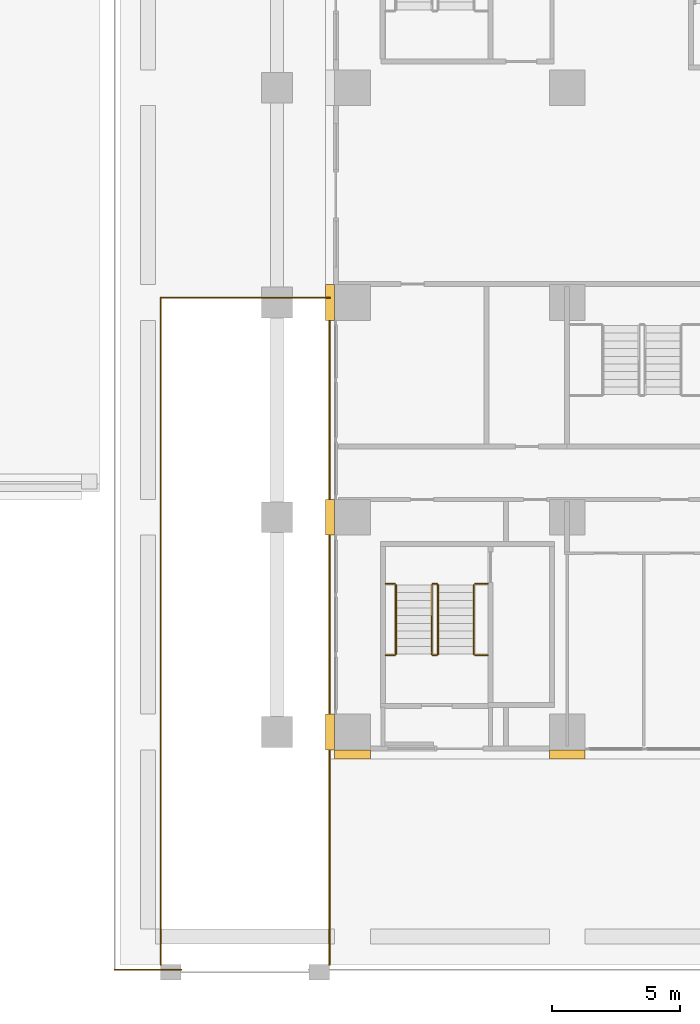
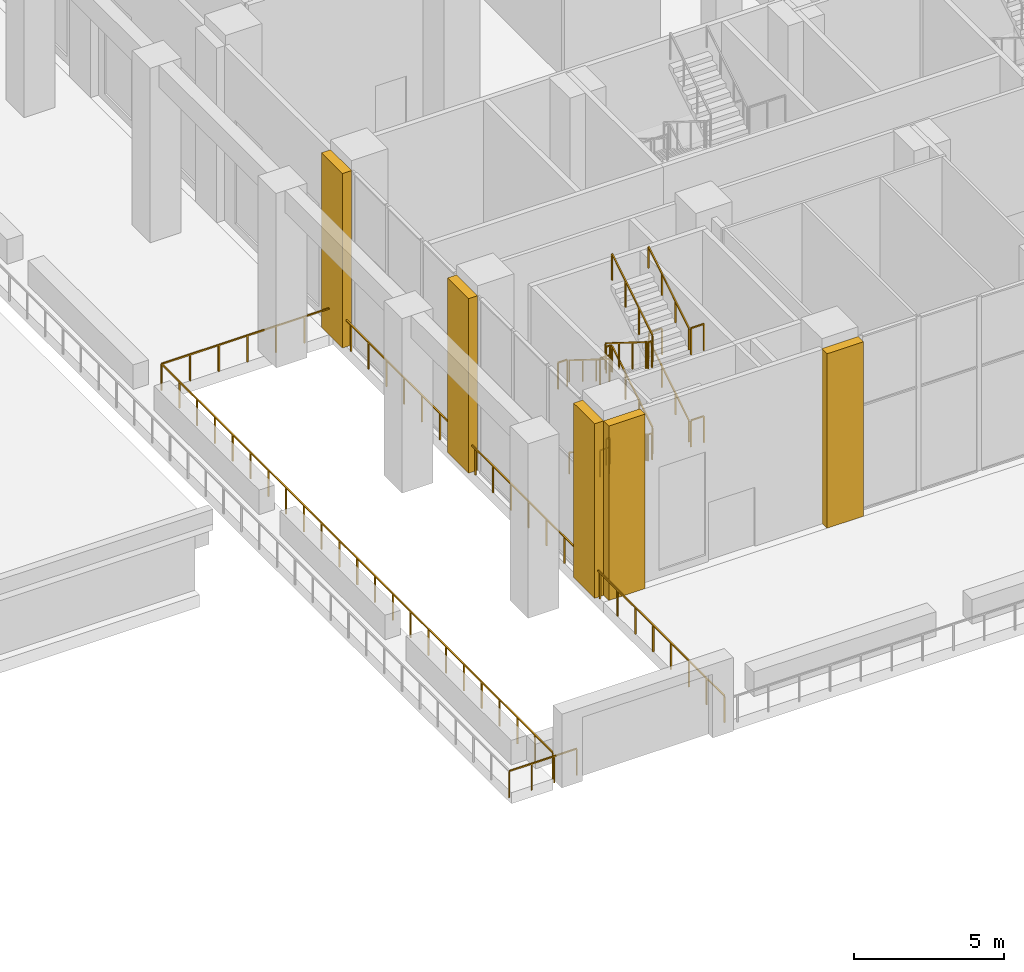
# One storey, part 36 of 53: 19 railings, 5 coverings.
"""IFC4 building model written with IfcOpenShell, lengths in metres."""

from ifc_helpers import new_model, si_unit, direction, frame, origin, origin_2d, place, context, subcontext, project, spatial, polyline, rectangle, outline, extrude, material, type_object, element, save


model = new_model("IFC4")

# Units and contexts
model_context = context("Model", 3, precision=1e-05, world=origin(), true_north=direction((0.0, 1.0)))
body_context = subcontext(model_context, "Body", "Model", "MODEL_VIEW")
ifc_project = project(units=[si_unit("LENGTHUNIT", "METRE"), si_unit("AREAUNIT", "SQUARE_METRE"), si_unit("VOLUMEUNIT", "CUBIC_METRE"), si_unit("PLANEANGLEUNIT", "RADIAN"), si_unit("MASSUNIT", "GRAM", prefix="KILO")], contexts=[model_context])

# Site, building, storey
site_placement = place(None, origin())
site = spatial("IfcSite", under=ifc_project, at=site_placement, CompositionType="ELEMENT")
building_placement = place(site_placement, origin())
building = spatial("IfcBuilding", under=site, at=building_placement, Name="Vermilion Ogive Tower", CompositionType="ELEMENT")
storey_placement = place(building_placement, origin())
storey = spatial("IfcBuildingStorey", under=building, at=storey_placement, Name="L00", CompositionType="ELEMENT", Elevation=0.0)

# Railings
ifc_material_1 = material(Name="Stainless steel", Category="steel")
railing_type_1 = type_object("IfcRailingType", Name="Slab edge guard SG1", PredefinedType="GUARDRAIL", material=ifc_material_1)
railing_1_placement = place(storey_placement, frame((-41.10009765625, -12.41064453125, 0.0)))
element("IfcRailing", 1, at=railing_1_placement, inside=storey, type_object=railing_type_1, Name="Ramp opening guard L00 N", PredefinedType="GUARDRAIL", context=body_context, shape_type="SweptSolid", body=[
    extrude(rectangle(XDim=0.050048828125, YDim=0.050048828125, at=origin_2d()), frame((0.0, 0.0, 1.0751953125), z_axis=(1.0, 0.0, 0.0), x_axis=(0.0, 1.0, 0.0)), (0.0, 0.0, 1.0), 6.60009765625),
    extrude(rectangle(XDim=0.050048828125, YDim=0.050048828125, at=origin_2d()), origin(), (0.0, 0.0, 1.0), 1.050048828125),
    extrude(rectangle(XDim=0.050048828125, YDim=0.050048828125, at=origin_2d()), frame((1.10009765625, 0.0, 0.0)), (0.0, 0.0, 1.0), 1.050048828125),
    extrude(rectangle(XDim=0.050048828125, YDim=0.050048828125, at=origin_2d()), frame((2.199951171875, 0.0, 0.0)), (0.0, 0.0, 1.0), 1.050048828125),
    extrude(rectangle(XDim=0.050048828125, YDim=0.050048828125, at=origin_2d()), frame((3.300048828125, 0.0, 0.0)), (0.0, 0.0, 1.0), 1.050048828125),
    extrude(rectangle(XDim=0.050048828125, YDim=0.050048828125, at=origin_2d()), frame((4.400146484375, 0.0, 0.0)), (0.0, 0.0, 1.0), 1.050048828125),
    extrude(rectangle(XDim=0.050048828125, YDim=0.050048828125, at=origin_2d()), frame((5.5, 0.0, 0.0)), (0.0, 0.0, 1.0), 1.050048828125),
    extrude(rectangle(XDim=0.050048828125, YDim=0.050048828125, at=origin_2d()), frame((6.60009765625, 0.0, 0.0)), (0.0, 0.0, 1.0), 1.050048828125),
])
railing_2_placement = place(storey_placement, frame((-41.10009765625, -38.5, 0.0)))
element("IfcRailing", 2, at=railing_2_placement, inside=storey, type_object=railing_type_1, Name="Ramp opening guard L00 W", PredefinedType="GUARDRAIL", context=body_context, shape_type="SweptSolid", body=[
    extrude(rectangle(XDim=0.050048828125, YDim=0.050048828125, at=origin_2d()), frame((0.0, 0.0, 1.0751953125), z_axis=(0.0, 1.0, 0.0), x_axis=(-1.0, 0.0, 0.0)), (0.0, 0.0, 1.0), 26.08935546875),
    extrude(rectangle(XDim=0.050048828125, YDim=0.050048828125, at=origin_2d()), origin(), (0.0, 0.0, 1.0), 1.050048828125),
    extrude(rectangle(XDim=0.050048828125, YDim=0.050048828125, at=origin_2d()), frame((0.0, 1.185791015625, 0.0)), (0.0, 0.0, 1.0), 1.050048828125),
    extrude(rectangle(XDim=0.050048828125, YDim=0.050048828125, at=origin_2d()), frame((0.0, 2.371826171875, 0.0)), (0.0, 0.0, 1.0), 1.050048828125),
    extrude(rectangle(XDim=0.050048828125, YDim=0.050048828125, at=origin_2d()), frame((0.0, 3.5576171875, 0.0)), (0.0, 0.0, 1.0), 1.050048828125),
    extrude(rectangle(XDim=0.050048828125, YDim=0.050048828125, at=origin_2d()), frame((0.0, 4.743408203125, 0.0)), (0.0, 0.0, 1.0), 1.050048828125),
    extrude(rectangle(XDim=0.050048828125, YDim=0.050048828125, at=origin_2d()), frame((0.0, 5.929443359375, 0.0)), (0.0, 0.0, 1.0), 1.050048828125),
    extrude(rectangle(XDim=0.050048828125, YDim=0.050048828125, at=origin_2d()), frame((0.0, 7.115234375, 0.0)), (0.0, 0.0, 1.0), 1.050048828125),
    extrude(rectangle(XDim=0.050048828125, YDim=0.050048828125, at=origin_2d()), frame((0.0, 8.30126953125, 0.0)), (0.0, 0.0, 1.0), 1.050048828125),
    extrude(rectangle(XDim=0.050048828125, YDim=0.050048828125, at=origin_2d()), frame((0.0, 9.487060546875, 0.0)), (0.0, 0.0, 1.0), 1.050048828125),
    extrude(rectangle(XDim=0.050048828125, YDim=0.050048828125, at=origin_2d()), frame((0.0, 10.6728515625, 0.0)), (0.0, 0.0, 1.0), 1.050048828125),
    extrude(rectangle(XDim=0.050048828125, YDim=0.050048828125, at=origin_2d()), frame((0.0, 11.85888671875, 0.0)), (0.0, 0.0, 1.0), 1.050048828125),
    extrude(rectangle(XDim=0.050048828125, YDim=0.050048828125, at=origin_2d()), frame((0.0, 13.044677734375, 0.0)), (0.0, 0.0, 1.0), 1.050048828125),
    extrude(rectangle(XDim=0.050048828125, YDim=0.050048828125, at=origin_2d()), frame((0.0, 14.23046875, 0.0)), (0.0, 0.0, 1.0), 1.050048828125),
    extrude(rectangle(XDim=0.050048828125, YDim=0.050048828125, at=origin_2d()), frame((0.0, 15.41650390625, 0.0)), (0.0, 0.0, 1.0), 1.050048828125),
    extrude(rectangle(XDim=0.050048828125, YDim=0.050048828125, at=origin_2d()), frame((0.0, 16.602294921875, 0.0)), (0.0, 0.0, 1.0), 1.050048828125),
    extrude(rectangle(XDim=0.050048828125, YDim=0.050048828125, at=origin_2d()), frame((0.0, 17.7880859375, 0.0)), (0.0, 0.0, 1.0), 1.050048828125),
    extrude(rectangle(XDim=0.050048828125, YDim=0.050048828125, at=origin_2d()), frame((0.0, 18.97412109375, 0.0)), (0.0, 0.0, 1.0), 1.050048828125),
    extrude(rectangle(XDim=0.050048828125, YDim=0.050048828125, at=origin_2d()), frame((0.0, 20.159912109375, 0.0)), (0.0, 0.0, 1.0), 1.050048828125),
    extrude(rectangle(XDim=0.050048828125, YDim=0.050048828125, at=origin_2d()), frame((0.0, 21.345947265625, 0.0)), (0.0, 0.0, 1.0), 1.050048828125),
    extrude(rectangle(XDim=0.050048828125, YDim=0.050048828125, at=origin_2d()), frame((0.0, 22.53173828125, 0.0)), (0.0, 0.0, 1.0), 1.050048828125),
    extrude(rectangle(XDim=0.050048828125, YDim=0.050048828125, at=origin_2d()), frame((0.0, 23.717529296875, 0.0)), (0.0, 0.0, 1.0), 1.050048828125),
    extrude(rectangle(XDim=0.050048828125, YDim=0.050048828125, at=origin_2d()), frame((0.0, 24.903564453125, 0.0)), (0.0, 0.0, 1.0), 1.050048828125),
    extrude(rectangle(XDim=0.050048828125, YDim=0.050048828125, at=origin_2d()), frame((0.0, 26.08935546875, 0.0)), (0.0, 0.0, 1.0), 1.050048828125),
])
railing_3_placement = place(storey_placement, frame((-34.5, -38.5, 0.0)))
element("IfcRailing", 3, at=railing_3_placement, inside=storey, type_object=railing_type_1, Name="Ramp opening guard L00 E", PredefinedType="GUARDRAIL", context=body_context, shape_type="SweptSolid", body=[
    extrude(rectangle(XDim=0.050048828125, YDim=0.050048828125, at=origin_2d()), frame((0.0, 0.0, 1.0751953125), z_axis=(0.0, 1.0, 0.0), x_axis=(-1.0, 0.0, 0.0)), (0.0, 0.0, 1.0), 26.08935546875),
    extrude(rectangle(XDim=0.050048828125, YDim=0.050048828125, at=origin_2d()), origin(), (0.0, 0.0, 1.0), 1.050048828125),
    extrude(rectangle(XDim=0.050048828125, YDim=0.050048828125, at=origin_2d()), frame((0.0, 1.185791015625, 0.0)), (0.0, 0.0, 1.0), 1.050048828125),
    extrude(rectangle(XDim=0.050048828125, YDim=0.050048828125, at=origin_2d()), frame((0.0, 2.371826171875, 0.0)), (0.0, 0.0, 1.0), 1.050048828125),
    extrude(rectangle(XDim=0.050048828125, YDim=0.050048828125, at=origin_2d()), frame((0.0, 3.5576171875, 0.0)), (0.0, 0.0, 1.0), 1.050048828125),
    extrude(rectangle(XDim=0.050048828125, YDim=0.050048828125, at=origin_2d()), frame((0.0, 4.743408203125, 0.0)), (0.0, 0.0, 1.0), 1.050048828125),
    extrude(rectangle(XDim=0.050048828125, YDim=0.050048828125, at=origin_2d()), frame((0.0, 5.929443359375, 0.0)), (0.0, 0.0, 1.0), 1.050048828125),
    extrude(rectangle(XDim=0.050048828125, YDim=0.050048828125, at=origin_2d()), frame((0.0, 7.115234375, 0.0)), (0.0, 0.0, 1.0), 1.050048828125),
    extrude(rectangle(XDim=0.050048828125, YDim=0.050048828125, at=origin_2d()), frame((0.0, 8.30126953125, 0.0)), (0.0, 0.0, 1.0), 1.050048828125),
    extrude(rectangle(XDim=0.050048828125, YDim=0.050048828125, at=origin_2d()), frame((0.0, 9.487060546875, 0.0)), (0.0, 0.0, 1.0), 1.050048828125),
    extrude(rectangle(XDim=0.050048828125, YDim=0.050048828125, at=origin_2d()), frame((0.0, 10.6728515625, 0.0)), (0.0, 0.0, 1.0), 1.050048828125),
    extrude(rectangle(XDim=0.050048828125, YDim=0.050048828125, at=origin_2d()), frame((0.0, 11.85888671875, 0.0)), (0.0, 0.0, 1.0), 1.050048828125),
    extrude(rectangle(XDim=0.050048828125, YDim=0.050048828125, at=origin_2d()), frame((0.0, 13.044677734375, 0.0)), (0.0, 0.0, 1.0), 1.050048828125),
    extrude(rectangle(XDim=0.050048828125, YDim=0.050048828125, at=origin_2d()), frame((0.0, 14.23046875, 0.0)), (0.0, 0.0, 1.0), 1.050048828125),
    extrude(rectangle(XDim=0.050048828125, YDim=0.050048828125, at=origin_2d()), frame((0.0, 15.41650390625, 0.0)), (0.0, 0.0, 1.0), 1.050048828125),
    extrude(rectangle(XDim=0.050048828125, YDim=0.050048828125, at=origin_2d()), frame((0.0, 16.602294921875, 0.0)), (0.0, 0.0, 1.0), 1.050048828125),
    extrude(rectangle(XDim=0.050048828125, YDim=0.050048828125, at=origin_2d()), frame((0.0, 17.7880859375, 0.0)), (0.0, 0.0, 1.0), 1.050048828125),
    extrude(rectangle(XDim=0.050048828125, YDim=0.050048828125, at=origin_2d()), frame((0.0, 18.97412109375, 0.0)), (0.0, 0.0, 1.0), 1.050048828125),
    extrude(rectangle(XDim=0.050048828125, YDim=0.050048828125, at=origin_2d()), frame((0.0, 20.159912109375, 0.0)), (0.0, 0.0, 1.0), 1.050048828125),
    extrude(rectangle(XDim=0.050048828125, YDim=0.050048828125, at=origin_2d()), frame((0.0, 21.345947265625, 0.0)), (0.0, 0.0, 1.0), 1.050048828125),
    extrude(rectangle(XDim=0.050048828125, YDim=0.050048828125, at=origin_2d()), frame((0.0, 22.53173828125, 0.0)), (0.0, 0.0, 1.0), 1.050048828125),
    extrude(rectangle(XDim=0.050048828125, YDim=0.050048828125, at=origin_2d()), frame((0.0, 23.717529296875, 0.0)), (0.0, 0.0, 1.0), 1.050048828125),
    extrude(rectangle(XDim=0.050048828125, YDim=0.050048828125, at=origin_2d()), frame((0.0, 24.903564453125, 0.0)), (0.0, 0.0, 1.0), 1.050048828125),
    extrude(rectangle(XDim=0.050048828125, YDim=0.050048828125, at=origin_2d()), frame((0.0, 26.08935546875, 0.0)), (0.0, 0.0, 1.0), 1.050048828125),
])
ifc_material_2 = material(Name="Steel S355 painted", Category="steel")
railing_type_2 = type_object("IfcRailingType", Name="Stair guard 1100", PredefinedType="GUARDRAIL", material=ifc_material_2)
railing_4_placement = place(storey_placement, frame((-30.5, -23.64990234375, 0.1875)))
element("IfcRailing", 4, at=railing_4_placement, inside=storey, type_object=railing_type_2, Name="L00 PWS stair guard 1", PredefinedType="GUARDRAIL", context=body_context, shape_type="SweptSolid", body=[
    extrude(rectangle(XDim=0.048095703125, YDim=0.048095703125, at=origin_2d()), frame((0.0, 0.0, 1.076171875), z_axis=(0.0, -0.848015533692, 0.529971371508), x_axis=(1.0, 0.0, 0.0)), (0.0, 0.0, 1.0), 3.18408203125),
    extrude(rectangle(XDim=0.048095703125, YDim=0.048095703125, at=origin_2d()), frame((0.0, -2.7001953125, 2.763671875), z_axis=(0.708833529934, -0.705375805398, 0.0), x_axis=(0.705375805398, 0.708833529934, 0.0)), (0.0, 0.0, 1.0), 0.070556640625),
    extrude(rectangle(XDim=0.048095703125, YDim=0.048095703125, at=origin_2d()), frame((0.050048828125, -2.75, 2.763671875), z_axis=(1.0, 0.0, 0.0), x_axis=(0.0, 1.0, 0.0)), (0.0, 0.0, 1.0), 0.14990234375),
    extrude(rectangle(XDim=0.0419921875, YDim=0.0419921875, at=origin_2d()), origin(), (0.0, 0.0, 1.0), 1.052001953125),
    extrude(rectangle(XDim=0.0419921875, YDim=0.0419921875, at=origin_2d()), frame((0.0, -0.900146484375, 0.5625)), (0.0, 0.0, 1.0), 1.052001953125),
    extrude(rectangle(XDim=0.0419921875, YDim=0.0419921875, at=origin_2d()), frame((0.0, -1.800048828125, 1.125)), (0.0, 0.0, 1.0), 1.052001953125),
    extrude(rectangle(XDim=0.0419921875, YDim=0.0419921875, at=origin_2d()), frame((0.0, -2.7001953125, 1.6875)), (0.0, 0.0, 1.0), 1.052001953125),
    extrude(rectangle(XDim=0.0419921875, YDim=0.0419921875, at=origin_2d()), frame((0.050048828125, -2.75, 1.6875)), (0.0, 0.0, 1.0), 1.052001953125),
    extrude(rectangle(XDim=0.0419921875, YDim=0.0419921875, at=origin_2d()), frame((0.199951171875, -2.75, 1.6875)), (0.0, 0.0, 1.0), 1.052001953125),
])
railing_5_placement = place(storey_placement, frame((-30.25, -26.35009765625, 2.0625)))
element("IfcRailing", 5, at=railing_5_placement, inside=storey, type_object=railing_type_2, Name="L00 PWS stair guard 3", PredefinedType="GUARDRAIL", context=body_context, shape_type="SweptSolid", body=[
    extrude(rectangle(XDim=0.048095703125, YDim=0.048095703125, at=origin_2d()), frame((0.0, 0.0, 1.076171875), z_axis=(0.0, 0.848015533692, 0.529971371508), x_axis=(-1.0, 0.0, 0.0)), (0.0, 0.0, 1.0), 3.18408203125),
    extrude(rectangle(XDim=0.048095703125, YDim=0.048095703125, at=origin_2d()), frame((0.0, 2.7001953125, 2.763671875), z_axis=(-0.708833529934, 0.705375805398, 0.0), x_axis=(-0.705375805398, -0.708833529934, 0.0)), (0.0, 0.0, 1.0), 0.070556640625),
    extrude(rectangle(XDim=0.048095703125, YDim=0.048095703125, at=origin_2d()), frame((-0.050048828125, 2.75, 2.763671875), z_axis=(-1.0, 0.0, 0.0), x_axis=(0.0, -1.0, 0.0)), (0.0, 0.0, 1.0), 0.14990234375),
    extrude(rectangle(XDim=0.0419921875, YDim=0.0419921875, at=origin_2d()), origin(), (0.0, 0.0, 1.0), 1.052001953125),
    extrude(rectangle(XDim=0.0419921875, YDim=0.0419921875, at=origin_2d()), frame((0.0, 0.900146484375, 0.5625)), (0.0, 0.0, 1.0), 1.052001953125),
    extrude(rectangle(XDim=0.0419921875, YDim=0.0419921875, at=origin_2d()), frame((0.0, 1.800048828125, 1.125)), (0.0, 0.0, 1.0), 1.052001953125),
    extrude(rectangle(XDim=0.0419921875, YDim=0.0419921875, at=origin_2d()), frame((0.0, 2.7001953125, 1.6875)), (0.0, 0.0, 1.0), 1.052001953125),
    extrude(rectangle(XDim=0.0419921875, YDim=0.0419921875, at=origin_2d()), frame((-0.050048828125, 2.75, 1.6875)), (0.0, 0.0, 1.0), 1.052001953125),
    extrude(rectangle(XDim=0.0419921875, YDim=0.0419921875, at=origin_2d()), frame((-0.199951171875, 2.75, 1.6875)), (0.0, 0.0, 1.0), 1.052001953125),
])
railing_6_placement = place(storey_placement, frame((-30.5, -23.64990234375, 3.9375)))
element("IfcRailing", 6, at=railing_6_placement, inside=storey, type_object=railing_type_2, Name="L00 PWS stair guard 5", PredefinedType="GUARDRAIL", context=body_context, shape_type="SweptSolid", body=[
    extrude(rectangle(XDim=0.048095703125, YDim=0.048095703125, at=origin_2d()), frame((0.0, 0.0, 1.076171875), z_axis=(0.0, -0.848015533692, 0.529971371508), x_axis=(1.0, 0.0, 0.0)), (0.0, 0.0, 1.0), 3.18408203125),
    extrude(rectangle(XDim=0.048095703125, YDim=0.048095703125, at=origin_2d()), frame((0.0, -2.7001953125, 2.763671875), z_axis=(0.708833529934, -0.705375805398, 0.0), x_axis=(0.705375805398, 0.708833529934, 0.0)), (0.0, 0.0, 1.0), 0.070556640625),
    extrude(rectangle(XDim=0.048095703125, YDim=0.048095703125, at=origin_2d()), frame((0.050048828125, -2.75, 2.763671875), z_axis=(1.0, 0.0, 0.0), x_axis=(0.0, 1.0, 0.0)), (0.0, 0.0, 1.0), 0.14990234375),
    extrude(rectangle(XDim=0.0419921875, YDim=0.0419921875, at=origin_2d()), origin(), (0.0, 0.0, 1.0), 1.052001953125),
    extrude(rectangle(XDim=0.0419921875, YDim=0.0419921875, at=origin_2d()), frame((0.0, -0.900146484375, 0.5625)), (0.0, 0.0, 1.0), 1.052001953125),
    extrude(rectangle(XDim=0.0419921875, YDim=0.0419921875, at=origin_2d()), frame((0.0, -1.800048828125, 1.125)), (0.0, 0.0, 1.0), 1.052001953125),
    extrude(rectangle(XDim=0.0419921875, YDim=0.0419921875, at=origin_2d()), frame((0.0, -2.7001953125, 1.6875)), (0.0, 0.0, 1.0), 1.052001953125),
    extrude(rectangle(XDim=0.0419921875, YDim=0.0419921875, at=origin_2d()), frame((0.050048828125, -2.75, 1.6875)), (0.0, 0.0, 1.0), 1.052001953125),
    extrude(rectangle(XDim=0.0419921875, YDim=0.0419921875, at=origin_2d()), frame((0.199951171875, -2.75, 1.6875)), (0.0, 0.0, 1.0), 1.052001953125),
])
railing_7_placement = place(storey_placement, frame((-30.25, -26.35009765625, 5.8125)))
element("IfcRailing", 7, at=railing_7_placement, inside=storey, type_object=railing_type_2, Name="L00 PWS stair guard 7", PredefinedType="GUARDRAIL", context=body_context, shape_type="SweptSolid", body=[
    extrude(rectangle(XDim=0.048095703125, YDim=0.048095703125, at=origin_2d()), frame((0.0, 0.0, 1.076171875), z_axis=(0.0, 0.848015533692, 0.529971371508), x_axis=(-1.0, 0.0, 0.0)), (0.0, 0.0, 1.0), 3.18408203125),
    extrude(rectangle(XDim=0.0419921875, YDim=0.0419921875, at=origin_2d()), origin(), (0.0, 0.0, 1.0), 1.052001953125),
    extrude(rectangle(XDim=0.0419921875, YDim=0.0419921875, at=origin_2d()), frame((0.0, 0.900146484375, 0.5625)), (0.0, 0.0, 1.0), 1.052001953125),
    extrude(rectangle(XDim=0.0419921875, YDim=0.0419921875, at=origin_2d()), frame((0.0, 1.800048828125, 1.125)), (0.0, 0.0, 1.0), 1.052001953125),
    extrude(rectangle(XDim=0.0419921875, YDim=0.0419921875, at=origin_2d()), frame((0.0, 2.7001953125, 1.6875)), (0.0, 0.0, 1.0), 1.052001953125),
])
railing_8_placement = place(storey_placement, frame((-30.449951171875, -23.60009765625, 0.0)))
element("IfcRailing", 8, at=railing_8_placement, inside=storey, type_object=railing_type_2, Name="L00 PWS stair guard 8", PredefinedType="GUARDRAIL", context=body_context, shape_type="SweptSolid", body=[
    extrude(rectangle(XDim=0.048095703125, YDim=0.048095703125, at=origin_2d()), frame((0.0, 0.0, 1.076171875), z_axis=(1.0, 0.0, 0.0), x_axis=(0.0, 1.0, 0.0)), (0.0, 0.0, 1.0), 0.14990234375),
    extrude(rectangle(XDim=0.0419921875, YDim=0.0419921875, at=origin_2d()), origin(), (0.0, 0.0, 1.0), 1.052001953125),
    extrude(rectangle(XDim=0.0419921875, YDim=0.0419921875, at=origin_2d()), frame((0.14990234375, 0.0, 0.0)), (0.0, 0.0, 1.0), 1.052001953125),
])
railing_9_placement = place(storey_placement, frame((-32.2998046875, -26.39990234375, 1.875)))
element("IfcRailing", 9, at=railing_9_placement, inside=storey, type_object=railing_type_2, Name="L00 landing guard", PredefinedType="GUARDRAIL", context=body_context, shape_type="SweptSolid", body=[
    extrude(rectangle(XDim=0.048095703125, YDim=0.048095703125, at=origin_2d()), frame((0.0, 0.0, 1.076171875), z_axis=(1.0, 0.0, 0.0), x_axis=(0.0, 1.0, 0.0)), (0.0, 0.0, 1.0), 0.349853515625),
    extrude(rectangle(XDim=0.0419921875, YDim=0.0419921875, at=origin_2d()), origin(), (0.0, 0.0, 1.0), 1.052001953125),
    extrude(rectangle(XDim=0.0419921875, YDim=0.0419921875, at=origin_2d()), frame((0.349853515625, 0.0, 0.0)), (0.0, 0.0, 1.0), 1.052001953125),
])
railing_10_placement = place(storey_placement, frame((-28.800048828125, -26.39990234375, 1.875)))
element("IfcRailing", 10, at=railing_10_placement, inside=storey, type_object=railing_type_2, Name="L00 landing guard", PredefinedType="GUARDRAIL", context=body_context, shape_type="SweptSolid", body=[
    extrude(rectangle(XDim=0.048095703125, YDim=0.048095703125, at=origin_2d()), frame((0.0, 0.0, 1.076171875), z_axis=(1.0, 0.0, 0.0), x_axis=(0.0, 1.0, 0.0)), (0.0, 0.0, 1.0), 0.5),
    extrude(rectangle(XDim=0.0419921875, YDim=0.0419921875, at=origin_2d()), origin(), (0.0, 0.0, 1.0), 1.052001953125),
    extrude(rectangle(XDim=0.0419921875, YDim=0.0419921875, at=origin_2d()), frame((0.5, 0.0, 0.0)), (0.0, 0.0, 1.0), 1.052001953125),
])
railing_11_placement = place(storey_placement, frame((-32.2998046875, -23.60009765625, 3.75)))
element("IfcRailing", 11, at=railing_11_placement, inside=storey, type_object=railing_type_2, Name="L00 landing guard", PredefinedType="GUARDRAIL", context=body_context, shape_type="SweptSolid", body=[
    extrude(rectangle(XDim=0.048095703125, YDim=0.048095703125, at=origin_2d()), frame((0.0, 0.0, 1.076171875), z_axis=(1.0, 0.0, 0.0), x_axis=(0.0, 1.0, 0.0)), (0.0, 0.0, 1.0), 0.349853515625),
    extrude(rectangle(XDim=0.0419921875, YDim=0.0419921875, at=origin_2d()), origin(), (0.0, 0.0, 1.0), 1.052001953125),
    extrude(rectangle(XDim=0.0419921875, YDim=0.0419921875, at=origin_2d()), frame((0.349853515625, 0.0, 0.0)), (0.0, 0.0, 1.0), 1.052001953125),
])
railing_12_placement = place(storey_placement, frame((-28.800048828125, -23.60009765625, 3.75)))
element("IfcRailing", 12, at=railing_12_placement, inside=storey, type_object=railing_type_2, Name="L00 landing guard", PredefinedType="GUARDRAIL", context=body_context, shape_type="SweptSolid", body=[
    extrude(rectangle(XDim=0.048095703125, YDim=0.048095703125, at=origin_2d()), frame((0.0, 0.0, 1.076171875), z_axis=(1.0, 0.0, 0.0), x_axis=(0.0, 1.0, 0.0)), (0.0, 0.0, 1.0), 0.5),
    extrude(rectangle(XDim=0.0419921875, YDim=0.0419921875, at=origin_2d()), origin(), (0.0, 0.0, 1.0), 1.052001953125),
    extrude(rectangle(XDim=0.0419921875, YDim=0.0419921875, at=origin_2d()), frame((0.5, 0.0, 0.0)), (0.0, 0.0, 1.0), 1.052001953125),
])
railing_13_placement = place(storey_placement, frame((-32.2998046875, -26.39990234375, 5.625)))
element("IfcRailing", 13, at=railing_13_placement, inside=storey, type_object=railing_type_2, Name="L00 landing guard", PredefinedType="GUARDRAIL", context=body_context, shape_type="SweptSolid", body=[
    extrude(rectangle(XDim=0.048095703125, YDim=0.048095703125, at=origin_2d()), frame((0.0, 0.0, 1.076171875), z_axis=(1.0, 0.0, 0.0), x_axis=(0.0, 1.0, 0.0)), (0.0, 0.0, 1.0), 0.349853515625),
    extrude(rectangle(XDim=0.0419921875, YDim=0.0419921875, at=origin_2d()), origin(), (0.0, 0.0, 1.0), 1.052001953125),
    extrude(rectangle(XDim=0.0419921875, YDim=0.0419921875, at=origin_2d()), frame((0.349853515625, 0.0, 0.0)), (0.0, 0.0, 1.0), 1.052001953125),
])
railing_14_placement = place(storey_placement, frame((-28.800048828125, -26.39990234375, 5.625)))
element("IfcRailing", 14, at=railing_14_placement, inside=storey, type_object=railing_type_2, Name="L00 landing guard", PredefinedType="GUARDRAIL", context=body_context, shape_type="SweptSolid", body=[
    extrude(rectangle(XDim=0.048095703125, YDim=0.048095703125, at=origin_2d()), frame((0.0, 0.0, 1.076171875), z_axis=(1.0, 0.0, 0.0), x_axis=(0.0, 1.0, 0.0)), (0.0, 0.0, 1.0), 0.5),
    extrude(rectangle(XDim=0.0419921875, YDim=0.0419921875, at=origin_2d()), origin(), (0.0, 0.0, 1.0), 1.052001953125),
    extrude(rectangle(XDim=0.0419921875, YDim=0.0419921875, at=origin_2d()), frame((0.5, 0.0, 0.0)), (0.0, 0.0, 1.0), 1.052001953125),
])
ifc_material_3 = material(Name="Stainless steel", Category="steel")
railing_type_3 = type_object("IfcRailingType", Name="Stair handrail 900", PredefinedType="HANDRAIL", material=ifc_material_3)
railing_15_placement = place(storey_placement, frame((-31.89990234375, -23.64990234375, 0.1875)))
element("IfcRailing", 15, at=railing_15_placement, inside=storey, type_object=railing_type_3, Name="L00 PWS stair handrail 1", PredefinedType="HANDRAIL", context=body_context, shape_type="SweptSolid", body=[
    extrude(rectangle(XDim=0.048095703125, YDim=0.048095703125, at=origin_2d()), frame((0.0, 0.0, 0.8759765625), z_axis=(0.0, -0.848015533692, 0.529971371508), x_axis=(1.0, 0.0, 0.0)), (0.0, 0.0, 1.0), 3.18408203125),
    extrude(rectangle(XDim=0.0419921875, YDim=0.0419921875, at=origin_2d()), origin(), (0.0, 0.0, 1.0), 0.851806640625),
    extrude(rectangle(XDim=0.0419921875, YDim=0.0419921875, at=origin_2d()), frame((0.0, -0.900146484375, 0.5625)), (0.0, 0.0, 1.0), 0.851806640625),
    extrude(rectangle(XDim=0.0419921875, YDim=0.0419921875, at=origin_2d()), frame((0.0, -1.800048828125, 1.125)), (0.0, 0.0, 1.0), 0.851806640625),
    extrude(rectangle(XDim=0.0419921875, YDim=0.0419921875, at=origin_2d()), frame((0.0, -2.7001953125, 1.6875)), (0.0, 0.0, 1.0), 0.851806640625),
])
railing_16_placement = place(storey_placement, frame((-28.85009765625, -26.35009765625, 2.0625)))
element("IfcRailing", 16, at=railing_16_placement, inside=storey, type_object=railing_type_3, Name="L00 PWS stair handrail 2", PredefinedType="HANDRAIL", context=body_context, shape_type="SweptSolid", body=[
    extrude(rectangle(XDim=0.048095703125, YDim=0.048095703125, at=origin_2d()), frame((0.0, 0.0, 0.8759765625), z_axis=(0.0, 0.848015533692, 0.529971371508), x_axis=(-1.0, 0.0, 0.0)), (0.0, 0.0, 1.0), 3.18408203125),
    extrude(rectangle(XDim=0.0419921875, YDim=0.0419921875, at=origin_2d()), origin(), (0.0, 0.0, 1.0), 0.851806640625),
    extrude(rectangle(XDim=0.0419921875, YDim=0.0419921875, at=origin_2d()), frame((0.0, 0.900146484375, 0.5625)), (0.0, 0.0, 1.0), 0.851806640625),
    extrude(rectangle(XDim=0.0419921875, YDim=0.0419921875, at=origin_2d()), frame((0.0, 1.800048828125, 1.125)), (0.0, 0.0, 1.0), 0.851806640625),
    extrude(rectangle(XDim=0.0419921875, YDim=0.0419921875, at=origin_2d()), frame((0.0, 2.7001953125, 1.6875)), (0.0, 0.0, 1.0), 0.851806640625),
])
railing_17_placement = place(storey_placement, frame((-31.89990234375, -23.64990234375, 3.9375)))
element("IfcRailing", 17, at=railing_17_placement, inside=storey, type_object=railing_type_3, Name="L00 PWS stair handrail 3", PredefinedType="HANDRAIL", context=body_context, shape_type="SweptSolid", body=[
    extrude(rectangle(XDim=0.048095703125, YDim=0.048095703125, at=origin_2d()), frame((0.0, 0.0, 0.8759765625), z_axis=(0.0, -0.848015533692, 0.529971371508), x_axis=(1.0, 0.0, 0.0)), (0.0, 0.0, 1.0), 3.18408203125),
    extrude(rectangle(XDim=0.0419921875, YDim=0.0419921875, at=origin_2d()), origin(), (0.0, 0.0, 1.0), 0.851806640625),
    extrude(rectangle(XDim=0.0419921875, YDim=0.0419921875, at=origin_2d()), frame((0.0, -0.900146484375, 0.5625)), (0.0, 0.0, 1.0), 0.851806640625),
    extrude(rectangle(XDim=0.0419921875, YDim=0.0419921875, at=origin_2d()), frame((0.0, -1.800048828125, 1.125)), (0.0, 0.0, 1.0), 0.851806640625),
    extrude(rectangle(XDim=0.0419921875, YDim=0.0419921875, at=origin_2d()), frame((0.0, -2.7001953125, 1.6875)), (0.0, 0.0, 1.0), 0.851806640625),
])
railing_18_placement = place(storey_placement, frame((-28.85009765625, -26.35009765625, 5.8125)))
element("IfcRailing", 18, at=railing_18_placement, inside=storey, type_object=railing_type_3, Name="L00 PWS stair handrail 4", PredefinedType="HANDRAIL", context=body_context, shape_type="SweptSolid", body=[
    extrude(rectangle(XDim=0.048095703125, YDim=0.048095703125, at=origin_2d()), frame((0.0, 0.0, 0.8759765625), z_axis=(0.0, 0.848015533692, 0.529971371508), x_axis=(-1.0, 0.0, 0.0)), (0.0, 0.0, 1.0), 3.18408203125),
    extrude(rectangle(XDim=0.0419921875, YDim=0.0419921875, at=origin_2d()), origin(), (0.0, 0.0, 1.0), 0.851806640625),
    extrude(rectangle(XDim=0.0419921875, YDim=0.0419921875, at=origin_2d()), frame((0.0, 0.900146484375, 0.5625)), (0.0, 0.0, 1.0), 0.851806640625),
    extrude(rectangle(XDim=0.0419921875, YDim=0.0419921875, at=origin_2d()), frame((0.0, 1.800048828125, 1.125)), (0.0, 0.0, 1.0), 0.851806640625),
    extrude(rectangle(XDim=0.0419921875, YDim=0.0419921875, at=origin_2d()), frame((0.0, 2.7001953125, 1.6875)), (0.0, 0.0, 1.0), 0.851806640625),
])

# Coverings
ifc_material_4 = material(Name="Stone cladding", Category="masonry")
covering_type = type_object("IfcCoveringType", Name="Stone pier", PredefinedType="CLADDING", material=ifc_material_4)
covering_1_placement = place(storey_placement, origin())
element("IfcCovering", 19, at=covering_1_placement, inside=storey, type_object=covering_type, Name="Stone pier P-252-294", PredefinedType="CLADDING", context=body_context, shape_type="SweptSolid", body=[
    extrude(outline(polyline([(-24.5, -30.449951171875), (-25.89990234375, -30.449951171875), (-25.89990234375, -30.10009765625), (-24.5, -30.10009765625), (-24.5, -30.449951171875)])), origin(), (0.0, 0.0, 1.0), 7.10009765625),
])
covering_2_placement = place(storey_placement, origin())
element("IfcCovering", 20, at=covering_2_placement, inside=storey, type_object=covering_type, Name="Stone pier P-336-126", PredefinedType="CLADDING", context=body_context, shape_type="SweptSolid", body=[
    extrude(outline(polyline([(-34.300048828125, -13.300048828125), (-34.300048828125, -13.300048828125), (-34.64990234375, -13.300048828125), (-34.64990234375, -11.89990234375), (-34.300048828125, -11.89990234375), (-34.300048828125, -11.89990234375), (-34.300048828125, -13.300048828125)])), origin(), (0.0, 0.0, 1.0), 7.10009765625),
])
covering_3_placement = place(storey_placement, origin())
element("IfcCovering", 21, at=covering_3_placement, inside=storey, type_object=covering_type, Name="Stone pier P-336-210", PredefinedType="CLADDING", context=body_context, shape_type="SweptSolid", body=[
    extrude(outline(polyline([(-34.300048828125, -21.699951171875), (-34.300048828125, -21.699951171875), (-34.64990234375, -21.699951171875), (-34.64990234375, -20.300048828125), (-34.300048828125, -20.300048828125), (-34.300048828125, -20.300048828125), (-34.300048828125, -21.699951171875)])), origin(), (0.0, 0.0, 1.0), 7.10009765625),
])
covering_4_placement = place(storey_placement, origin())
element("IfcCovering", 22, at=covering_4_placement, inside=storey, type_object=covering_type, Name="Stone pier P-336-294S", PredefinedType="CLADDING", context=body_context, shape_type="SweptSolid", body=[
    extrude(outline(polyline([(-32.89990234375, -30.449951171875), (-34.300048828125, -30.449951171875), (-34.300048828125, -30.10009765625), (-32.89990234375, -30.10009765625), (-32.89990234375, -30.449951171875)])), origin(), (0.0, 0.0, 1.0), 7.10009765625),
])
covering_5_placement = place(storey_placement, origin())
element("IfcCovering", 23, at=covering_5_placement, inside=storey, type_object=covering_type, Name="Stone pier P-336-294W", PredefinedType="CLADDING", context=body_context, shape_type="SweptSolid", body=[
    extrude(outline(polyline([(-34.300048828125, -30.10009765625), (-34.64990234375, -30.10009765625), (-34.64990234375, -28.699951171875), (-34.300048828125, -28.699951171875), (-34.300048828125, -28.699951171875), (-34.300048828125, -30.10009765625), (-34.300048828125, -30.10009765625)])), origin(), (0.0, 0.0, 1.0), 7.10009765625),
])

# Railing
ifc_material_5 = material(Name="Stainless steel and glass", Category="steel")
railing_type_4 = type_object("IfcRailingType", Name="Terrace guard", PredefinedType="GUARDRAIL", material=ifc_material_5)
railing_19_placement = place(storey_placement, frame((-40.300048828125, -38.699951171875, 0.0)))
element("IfcRailing", 24, at=railing_19_placement, inside=storey, type_object=railing_type_4, Name="Terrace guard 1.1.4", PredefinedType="GUARDRAIL", context=body_context, shape_type="SweptSolid", body=[
    extrude(rectangle(XDim=0.048095703125, YDim=0.048095703125, at=origin_2d()), frame((0.0, 0.0, 1.076171875), z_axis=(-1.0, 0.0, 0.0), x_axis=(0.0, -1.0, 0.0)), (0.0, 0.0, 1.0), 2.599853515625),
    extrude(rectangle(XDim=0.0419921875, YDim=0.0419921875, at=origin_2d()), origin(), (0.0, 0.0, 1.0), 1.052001953125),
    extrude(rectangle(XDim=0.0419921875, YDim=0.0419921875, at=origin_2d()), frame((-0.86669921875, 0.0, 0.0)), (0.0, 0.0, 1.0), 1.052001953125),
    extrude(rectangle(XDim=0.0419921875, YDim=0.0419921875, at=origin_2d()), frame((-1.733154296875, 0.0, 0.0)), (0.0, 0.0, 1.0), 1.052001953125),
    extrude(rectangle(XDim=0.0419921875, YDim=0.0419921875, at=origin_2d()), frame((-2.599853515625, 0.0, 0.0)), (0.0, 0.0, 1.0), 1.052001953125),
])

save(model, "model.ifc")
